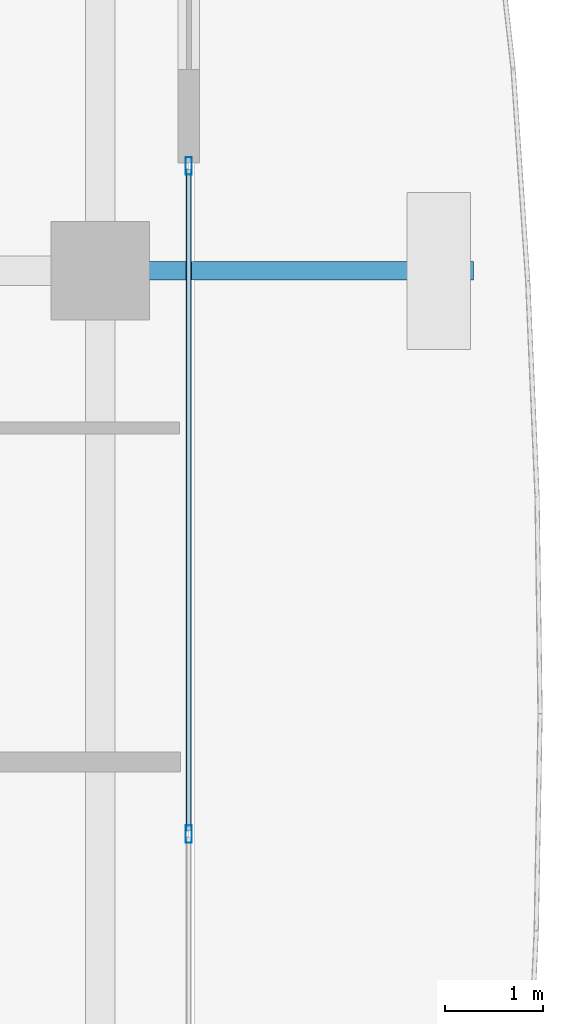
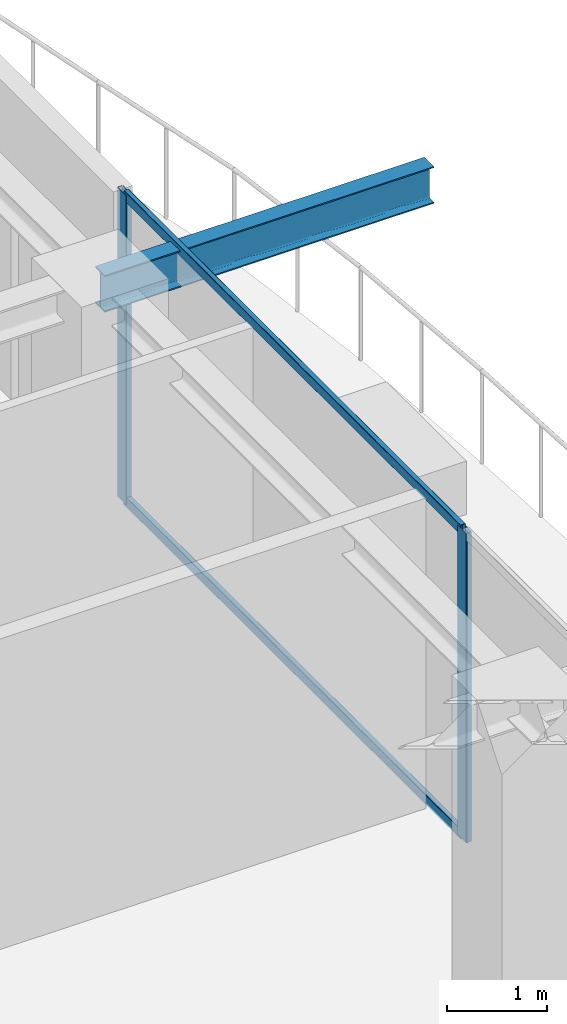
# One storey, part 18 of 42: 4 members, 1 beam, 1 element without a shape of its own.
"""IFC4 building model written with IfcOpenShell, lengths in metres."""

from ifc_helpers import new_model, si_unit, direction, frame, origin, origin_2d, place, context, subcontext, project, spatial, hollow_rectangle, i_section, extrude, source, transform, mapped, material, layer, layer_set, material_profile, profile_set, type_object, element, aggregate, save


model = new_model("IFC4")

# Units and contexts
model_context = context("Model", 3, precision=1e-05, world=origin(), true_north=direction((0.0, 1.0)))
body_context = subcontext(model_context, "Body", "Model", "MODEL_VIEW")
ifc_project = project(units=[si_unit("LENGTHUNIT", "METRE"), si_unit("AREAUNIT", "SQUARE_METRE"), si_unit("VOLUMEUNIT", "CUBIC_METRE"), si_unit("PLANEANGLEUNIT", "RADIAN"), si_unit("MASSUNIT", "GRAM", prefix="KILO")], contexts=[model_context])

# Site, building, storey
site_placement = place(None, origin())
site = spatial("IfcSite", under=ifc_project, at=site_placement, CompositionType="ELEMENT")
building_placement = place(site_placement, origin())
building = spatial("IfcBuilding", under=site, at=building_placement, Name="Serunith Strait Residences", CompositionType="ELEMENT")
storey_placement = place(building_placement, frame((0.0, 0.0, 325.85009765625)))
storey = spatial("IfcBuildingStorey", under=building, at=storey_placement, Name="L81", CompositionType="ELEMENT", Elevation=325.85009765625)

# Beam
ifc_material_1 = material(Name="Steel S355J2", Category="steel")
ifc_material_profile_1 = material_profile(ifc_material_1, i_section(OverallWidth=0.18994140625, OverallDepth=0.449951171875, WebThickness=0.009521484375, FlangeThickness=0.0146484375, FilletRadius=0.02099609375, at=origin_2d()), Name="IPE 450")
ifc_profile_set_1 = profile_set([ifc_material_profile_1], Name="Steel S355J2")
beam_type = type_object("IfcBeamType", Name="BM-IPE450", PredefinedType="JOIST", material=ifc_profile_set_1)
shared_shape_1 = source(origin(), body_context, "Body", "SweptSolid", [
    extrude(i_section(OverallWidth=0.18994140625, OverallDepth=0.449951171875, WebThickness=0.009521484375, FlangeThickness=0.0146484375, FilletRadius=0.02099609375, at=origin_2d()), origin(), (0.0, 0.0, 1.0), 3.800048828125),
])
beam_placement = place(storey_placement, frame((54.699951171875, 29.39990234375, 3.531982421875), z_axis=(1.0, 0.0, 0.0), x_axis=(0.0, 1.0, 0.0)))
element("IfcBeam", 1, at=beam_placement, inside=storey, type_object=beam_type, Name="L82 Cantilevered Balcony Rib TC-E3", PredefinedType="JOIST", context=body_context, shape_type="MappedRepresentation", body=[
    mapped(shared_shape_1, transform((0.0, 0.0, 0.0), scale=1.0)),
])

# Curtain wall, members
ifc_material_2 = material(Name="Brushed Stainless-Silver Aluminium", Category="aluminium")
ifc_layer = layer(ifc_material_2, 0.199951171875, Name="Brushed Stainless-Silver Aluminium")
ifc_layer_set = layer_set([ifc_layer], Name="Brushed Stainless-Silver Aluminium")
curtain_wall_type = type_object("IfcCurtainWallType", Name="CW-SYS5", PredefinedType="NOTDEFINED", material=ifc_layer_set)
curtain_wall_placement = place(storey_placement, origin())
curtain_wall = element("IfcCurtainWall", 2, at=curtain_wall_placement, inside=storey, type_object=curtain_wall_type, Name="L81 E Unitised Fritted Curtain Wall", PredefinedType="NOTDEFINED")
ifc_material_profile_2 = material_profile(ifc_material_2, hollow_rectangle(XDim=0.06494140625, YDim=0.179931640625, WallThickness=0.00341796875, InnerFilletRadius=0.00537109375, OuterFilletRadius=0.0087890625, at=origin_2d()), Name="ALU 180x65x3.5")
ifc_profile_set_2 = profile_set([ifc_material_profile_2], Name="Brushed Stainless-Silver Aluminium")
member_type_1 = type_object("IfcMemberType", Name="CW-SYS5-MULL", PredefinedType="MULLION", material=ifc_profile_set_2)
shared_shape_2 = source(origin(), body_context, "Body", "SweptSolid", [
    extrude(hollow_rectangle(XDim=0.06494140625, YDim=0.179931640625, WallThickness=0.00341796875, InnerFilletRadius=0.00537109375, OuterFilletRadius=0.0087890625, at=origin_2d()), origin(), (0.0, 0.0, 1.0), 3.77490234375),
])
member_1_placement = place(storey_placement, frame((55.60009765625, 23.666748046875, 0.0), z_axis=(0.0, 0.0, 1.0), x_axis=(-1.0, 0.0, 0.0)))
member_1 = element("IfcMember", 3, at=member_1_placement, type_object=member_type_1, Name="CW-5 mullion 3", PredefinedType="MULLION", context=body_context, shape_type="MappedRepresentation", body=[
    mapped(shared_shape_2, transform((0.0, 0.0, 0.0), scale=1.0)),
])
member_2_placement = place(storey_placement, frame((55.60009765625, 30.467529296875, 0.0), z_axis=(0.0, 0.0, 1.0), x_axis=(-1.0, 0.0, 0.0)))
member_2 = element("IfcMember", 4, at=member_2_placement, type_object=member_type_1, Name="CW-5 mullion 4", PredefinedType="MULLION", context=body_context, shape_type="MappedRepresentation", body=[
    mapped(shared_shape_2, transform((0.0, 0.0, 0.0), scale=1.0)),
])
ifc_material_profile_3 = material_profile(ifc_material_2, hollow_rectangle(XDim=0.06005859375, YDim=0.1201171875, WallThickness=0.00341796875, InnerFilletRadius=0.00537109375, OuterFilletRadius=0.0087890625, at=origin_2d()), Name="ALU 120x60x3.5")
ifc_profile_set_3 = profile_set([ifc_material_profile_3], Name="Brushed Stainless-Silver Aluminium")
member_type_2 = type_object("IfcMemberType", Name="CW-SYS5-TRAN", PredefinedType="USERDEFINED", material=ifc_profile_set_3)
shared_shape_3 = source(origin(), body_context, "Body", "SweptSolid", [
    extrude(hollow_rectangle(XDim=0.06005859375, YDim=0.1201171875, WallThickness=0.00341796875, InnerFilletRadius=0.00537109375, OuterFilletRadius=0.0087890625, at=origin_2d()), origin(), (0.0, 0.0, 1.0), 6.73583984375),
])
member_3_placement = place(storey_placement, frame((55.60009765625, 23.69921875, 0.02978515625), z_axis=(0.0, 1.0, 0.0), x_axis=(-1.0, 0.0, 0.0)))
member_3 = element("IfcMember", 5, at=member_3_placement, type_object=member_type_2, Name="CW-5 transom 3.1", ObjectType="TRANSOM", PredefinedType="USERDEFINED", context=body_context, shape_type="MappedRepresentation", body=[
    mapped(shared_shape_3, transform((0.0, 0.0, 0.0), scale=1.0)),
])
member_4_placement = place(storey_placement, frame((55.60009765625, 23.69921875, 3.744873046875), z_axis=(0.0, 1.0, 0.0), x_axis=(-1.0, 0.0, 0.0)))
member_4 = element("IfcMember", 6, at=member_4_placement, type_object=member_type_2, Name="CW-5 transom 3.2", ObjectType="TRANSOM", PredefinedType="USERDEFINED", context=body_context, shape_type="MappedRepresentation", body=[
    mapped(shared_shape_3, transform((0.0, 0.0, 0.0), scale=1.0)),
])
aggregate(curtain_wall, [member_1, member_2, member_3, member_4])

save(model, "model.ifc")
